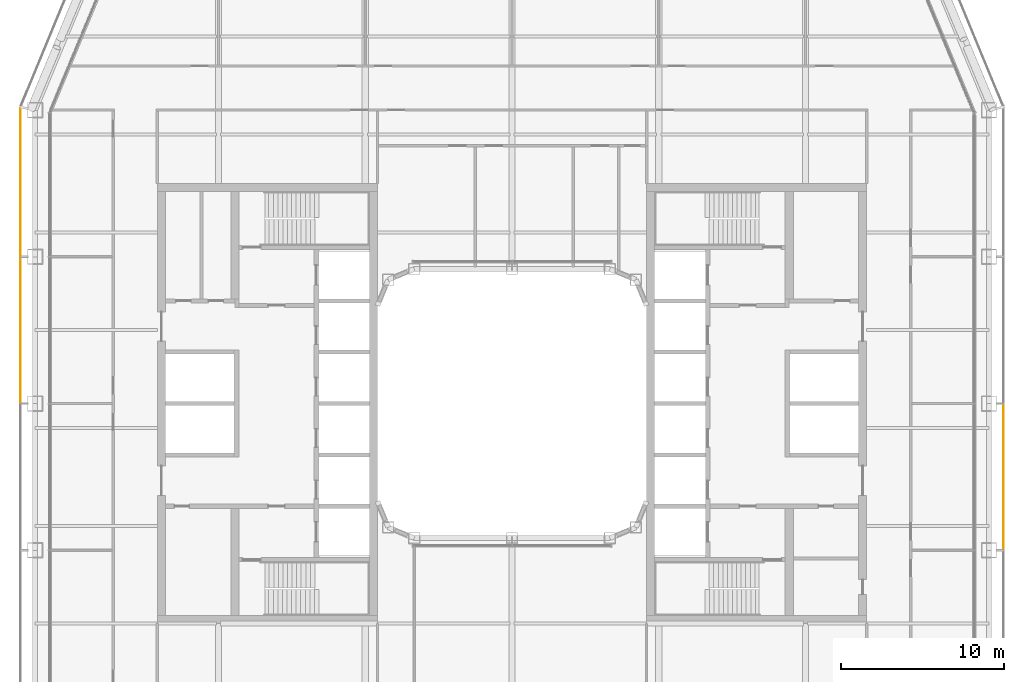
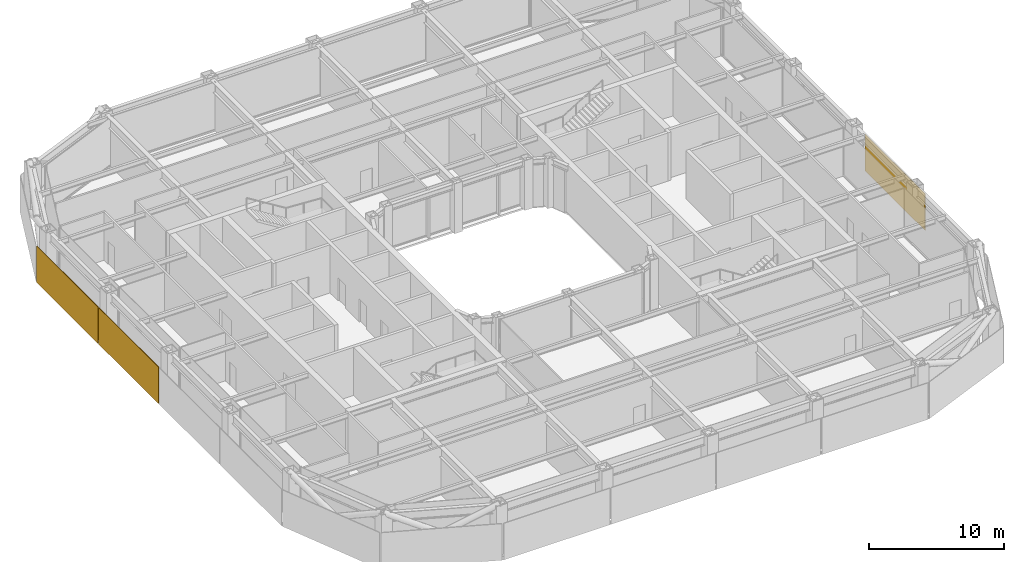
# One storey, part 19 of 21: 3 coverings.
"""IFC4 building model written with IfcOpenShell, lengths in metres."""

import ifcopenshell
import ifcopenshell.guid

model = None  # the IFC model being written
_history = None  # IfcOwnerHistory: only IFC2X3 demands one
_inside = {}  # id of a spatial element -> (the spatial element, [elements in it])
_under = {}  # id of a project, library or spatial element -> (it, [spatial elements below it])
_declared = {}  # id of a project -> (the project, [libraries it declares])
_typed = {}  # id of a type object -> (the type object, [elements of that type])
_made_of = {}  # id of a material, layer set ... -> (it, [elements and type objects made of it])


def new_model(schema):
    """Start an empty IFC model of exactly this schema.

    Asked for "IFC4X3", IfcOpenShell would pick the latest addendum, in which some entities
    have other attributes; the version numbers below select the first issue.
    IFC2X3 requires an IfcOwnerHistory on every rooted entity: one is made here for all.
    """
    global model, _history
    if schema == "IFC4X3":
        model = ifcopenshell.file(schema_version=(4, 3, 0, 0))
    else:
        model = ifcopenshell.file(schema=schema)
    _inside.clear()
    _under.clear()
    _declared.clear()
    _typed.clear()
    _made_of.clear()
    _history = None
    if model.schema == "IFC2X3":
        org = make("IfcOrganization", Name="unknown")
        user = make(
            "IfcPersonAndOrganization",
            ThePerson=make("IfcPerson", FamilyName="unknown"),
            TheOrganization=org,
        )
        app = make(
            "IfcApplication",
            ApplicationDeveloper=org,
            Version="unknown",
            ApplicationFullName="unknown",
            ApplicationIdentifier="unknown",
        )
        _history = make(
            "IfcOwnerHistory",
            OwningUser=user,
            OwningApplication=app,
            ChangeAction="ADDED",
            CreationDate=0,
        )
    return model


def make(cls, **values):
    """One entity of the class cls with the attributes given. An attribute that is None is left unset."""
    return model.create_entity(
        cls, **{name: value for name, value in values.items() if value is not None}
    )


def rooted(cls, **values):
    """An entity with a GlobalId (a new one), such as an element, a storey or a relation."""
    return make(cls, GlobalId=ifcopenshell.guid.new(), OwnerHistory=_history, **values)


def si_unit(unit_type, name, prefix=None):
    """IfcSIUnit, for example si_unit("LENGTHUNIT", "METRE", prefix="MILLI")."""
    return make("IfcSIUnit", UnitType=unit_type, Prefix=prefix, Name=name)


def assignment(units):
    """IfcUnitAssignment: the units of a project."""
    return None if units is None else make("IfcUnitAssignment", Units=units)


def point(xyz):
    """IfcCartesianPoint."""
    return None if xyz is None else make("IfcCartesianPoint", Coordinates=xyz)


def direction(xyz):
    """IfcDirection."""
    return None if xyz is None else make("IfcDirection", DirectionRatios=xyz)


def frame(location, z_axis=None, x_axis=None):
    """IfcAxis2Placement3D, a coordinate frame: its origin and axes. An axis left out is left unset."""
    return make(
        "IfcAxis2Placement3D",
        Location=point(location),
        Axis=direction(z_axis),
        RefDirection=direction(x_axis),
    )


def frame_2d(location, x_axis=None):
    """IfcAxis2Placement2D, a coordinate frame in the plane: its origin and x axis."""
    return make(
        "IfcAxis2Placement2D", Location=point(location), RefDirection=direction(x_axis)
    )


def origin():
    """The frame at (0, 0, 0) with its axes left unset."""
    return frame((0.0, 0.0, 0.0))


def origin_2d():
    """The frame at (0, 0) in the plane with its x axis left unset."""
    return frame_2d((0.0, 0.0))


def place(relative_to, where):
    """IfcLocalPlacement: puts the frame where relative to a parent placement (None: the world)."""
    return make(
        "IfcLocalPlacement", PlacementRelTo=relative_to, RelativePlacement=where
    )


def context(
    kind, dimensions, precision=None, world=None, true_north=None, identifier=None
):
    """IfcGeometricRepresentationContext, for example the 3D "Model" context."""
    return make(
        "IfcGeometricRepresentationContext",
        ContextIdentifier=identifier,
        ContextType=kind,
        CoordinateSpaceDimension=dimensions,
        Precision=precision,
        WorldCoordinateSystem=world,
        TrueNorth=true_north,
    )


def subcontext(parent, identifier, kind, view, scale=None):
    """IfcGeometricRepresentationSubContext, for example "Body" below "Model"."""
    return make(
        "IfcGeometricRepresentationSubContext",
        ContextIdentifier=identifier,
        ContextType=kind,
        ParentContext=parent,
        TargetScale=scale,
        TargetView=view,
    )


def project(units=None, contexts=None):
    """IfcProject with its units and contexts."""
    return rooted(
        "IfcProject",
        Name="project",
        RepresentationContexts=contexts,
        UnitsInContext=assignment(units),
    )


def spatial(cls, under=None, at=None, **own):
    """A site, building, storey or space (cls), placed at a placement, below another one or the project."""
    s = rooted(cls, ObjectPlacement=at, **own)
    if under is not None:
        _under.setdefault(under.id(), (under, []))[1].append(s)
    return s


def profile(cls, at=None, kind="AREA", **sizes):
    """A parametric profile (cls). Its sizes go by their IFC names, for example OverallWidth=200.0."""
    return make(cls, ProfileType=kind, Position=at, **sizes)


def rectangle(**sizes):
    """IfcRectangleProfileDef."""
    return profile("IfcRectangleProfileDef", **sizes)


def extrude(swept, where, along, depth):
    """IfcExtrudedAreaSolid: the profile swept, set in the frame where, extruded along a direction by depth."""
    return make(
        "IfcExtrudedAreaSolid",
        SweptArea=swept,
        Position=where,
        ExtrudedDirection=direction(along),
        Depth=depth,
    )


def shape(context_of_items, identifier, shape_type, items):
    """IfcShapeRepresentation: the items that make up one representation, for example the "Body"."""
    return make(
        "IfcShapeRepresentation",
        ContextOfItems=context_of_items,
        RepresentationIdentifier=identifier,
        RepresentationType=shape_type,
        Items=items,
    )


def material(Name=None, Category=None):
    """IfcMaterial."""
    return make("IfcMaterial", Name=Name, Category=Category)


def layer(
    of_material, thickness, ventilated=None, Name=None, Category=None, Priority=None
):
    """IfcMaterialLayer: one layer of a wall or slab, of a material (None: an air gap)."""
    return make(
        "IfcMaterialLayer",
        Material=of_material,
        LayerThickness=thickness,
        IsVentilated=ventilated,
        Name=Name,
        Category=Category,
        Priority=Priority,
    )


def layer_set(layers, Name=None):
    """IfcMaterialLayerSet."""
    return make("IfcMaterialLayerSet", MaterialLayers=layers, LayerSetName=Name)


def made_of(thing, what):
    """Note that an element or type object is made of a material, layer set ...; save() writes the relation."""
    if what is not None:
        _made_of.setdefault(what.id(), (what, []))[1].append(thing)
    return thing


def type_object(cls, material=None, **own):
    """A type object (cls), such as IfcWallType, which elements share."""
    return made_of(rooted(cls, **own), material)


def element(
    cls,
    number,
    at=None,
    inside=None,
    cuts=None,
    type_object=None,
    material=None,
    context=None,
    identifier="Body",
    shape_type=None,
    held_by="IfcProductDefinitionShape",
    body=None,
    shapes=None,
    **own,
):
    """One element of the class cls, such as IfcWall. Its Tag is "e" and its number.

    at: its placement. inside: the storey or other place that contains it. cuts: it is an
    opening in that element (IfcRelVoidsElement). A single representation is given by context,
    identifier, shape_type and body (its items); several are given by shapes. held_by: the class
    of the entity that holds the representations. save() writes the other relations.
    """
    e = rooted(cls, Tag="e%d" % number, ObjectPlacement=at, **own)
    if body is not None:
        shapes = [shape(context, identifier, shape_type, body)]
    if shapes is not None:
        e.Representation = make(held_by, Representations=shapes)
    if inside is not None:
        _inside.setdefault(inside.id(), (inside, []))[1].append(e)
    if cuts is not None:
        rooted(
            "IfcRelVoidsElement", RelatingBuildingElement=cuts, RelatedOpeningElement=e
        )
    if type_object is not None:
        _typed.setdefault(type_object.id(), (type_object, []))[1].append(e)
    return made_of(e, material)


def aggregate(whole, parts):
    """IfcRelAggregates: a whole, such as a stair, and the parts it consists of."""
    return rooted("IfcRelAggregates", RelatingObject=whole, RelatedObjects=parts)


def save(model, path):
    """Write the relations noted so far, then the file.

    IfcRelAggregates (storeys below a building ...), IfcRelContainedInSpatialStructure (elements
    in a storey), IfcRelDefinesByType, IfcRelAssociatesMaterial and IfcRelDeclares: one each for
    every whole, place, type object, material and project.
    """
    for whole, parts in _under.values():
        aggregate(whole, parts)
    for where, things in _inside.values():
        rooted(
            "IfcRelContainedInSpatialStructure",
            RelatedElements=things,
            RelatingStructure=where,
        )
    for kind, things in _typed.values():
        rooted("IfcRelDefinesByType", RelatedObjects=things, RelatingType=kind)
    for what, things in _made_of.values():
        rooted("IfcRelAssociatesMaterial", RelatedObjects=things, RelatingMaterial=what)
    for by, libraries in _declared.values():
        rooted("IfcRelDeclares", RelatingContext=by, RelatedDefinitions=libraries)
    model.write(path)


model = new_model("IFC4")

# Units and contexts
model_context = context("Model", 3, precision=1e-05, world=origin(), true_north=direction((0.0, 1.0)))
body_context = subcontext(model_context, "Body", "Model", "MODEL_VIEW")
ifc_project = project(units=[si_unit("LENGTHUNIT", "METRE"), si_unit("AREAUNIT", "SQUARE_METRE"), si_unit("VOLUMEUNIT", "CUBIC_METRE"), si_unit("PLANEANGLEUNIT", "RADIAN"), si_unit("MASSUNIT", "GRAM", prefix="KILO")], contexts=[model_context])

# Site, building, storey
site_placement = place(None, origin())
site = spatial("IfcSite", under=ifc_project, at=site_placement, CompositionType="ELEMENT")
building_placement = place(site_placement, origin())
building = spatial("IfcBuilding", under=site, at=building_placement, Name="Siwar Civic Tower", CompositionType="ELEMENT")
storey_placement = place(building_placement, frame((0.0, 0.0, 122.699951171875)))
storey = spatial("IfcBuildingStorey", under=building, at=storey_placement, Name="L26", CompositionType="ELEMENT", Elevation=122.699951171875)

# Coverings
ifc_material_1 = material(Name="Perforated aluminium cassette, pale metal", Category="aluminium")
ifc_layer_1 = layer(ifc_material_1, 0.0400390625)
ifc_layer_set_1 = layer_set([ifc_layer_1], Name="Perforated aluminium cassette, pale metal")
covering_type_1 = type_object("IfcCoveringType", Name="ENV-OUTER SKIN OS-1", PredefinedType="CLADDING", material=ifc_layer_set_1)
covering_1_placement = place(storey_placement, frame((30.14990234375, -4.5, -0.14990234375), z_axis=(0.0, 0.0, 1.0), x_axis=(0.0, 1.0, 0.0)))
element("IfcCovering", 1, at=covering_1_placement, inside=storey, type_object=covering_type_1, Name="OUTER SKIN OS-1 E 2", PredefinedType="CLADDING", context=body_context, shape_type="SweptSolid", body=[
    extrude(rectangle(XDim=8.89990234375, YDim=0.0400390625, at=origin_2d()), origin(), (0.0, 0.0, 1.0), 3.300048828125),
])
ifc_material_2 = material(Name="Perforated aluminium cassette, pale metal", Category="aluminium")
ifc_layer_2 = layer(ifc_material_2, 0.050048828125)
ifc_layer_set_2 = layer_set([ifc_layer_2], Name="Perforated aluminium cassette, pale metal")
covering_type_2 = type_object("IfcCoveringType", Name="ENV-OUTER SKIN OS-3", PredefinedType="CLADDING", material=ifc_layer_set_2)
covering_2_placement = place(storey_placement, frame((-30.14990234375, 13.57958984375, -0.14990234375), z_axis=(0.0, 0.0, 1.0), x_axis=(0.0, -1.0, 0.0)))
element("IfcCovering", 2, at=covering_2_placement, inside=storey, type_object=covering_type_2, Name="OUTER SKIN OS-3 W 1", PredefinedType="CLADDING", context=body_context, shape_type="SweptSolid", body=[
    extrude(rectangle(XDim=9.05908203125, YDim=0.050048828125, at=origin_2d()), origin(), (0.0, 0.0, 1.0), 3.300048828125),
])
covering_3_placement = place(storey_placement, frame((-30.14990234375, 4.5, -0.14990234375), z_axis=(0.0, 0.0, 1.0), x_axis=(0.0, -1.0, 0.0)))
element("IfcCovering", 3, at=covering_3_placement, inside=storey, type_object=covering_type_2, Name="OUTER SKIN OS-3 W 2", PredefinedType="CLADDING", context=body_context, shape_type="SweptSolid", body=[
    extrude(rectangle(XDim=8.89990234375, YDim=0.050048828125, at=origin_2d()), origin(), (0.0, 0.0, 1.0), 3.300048828125),
])

save(model, "model.ifc")
